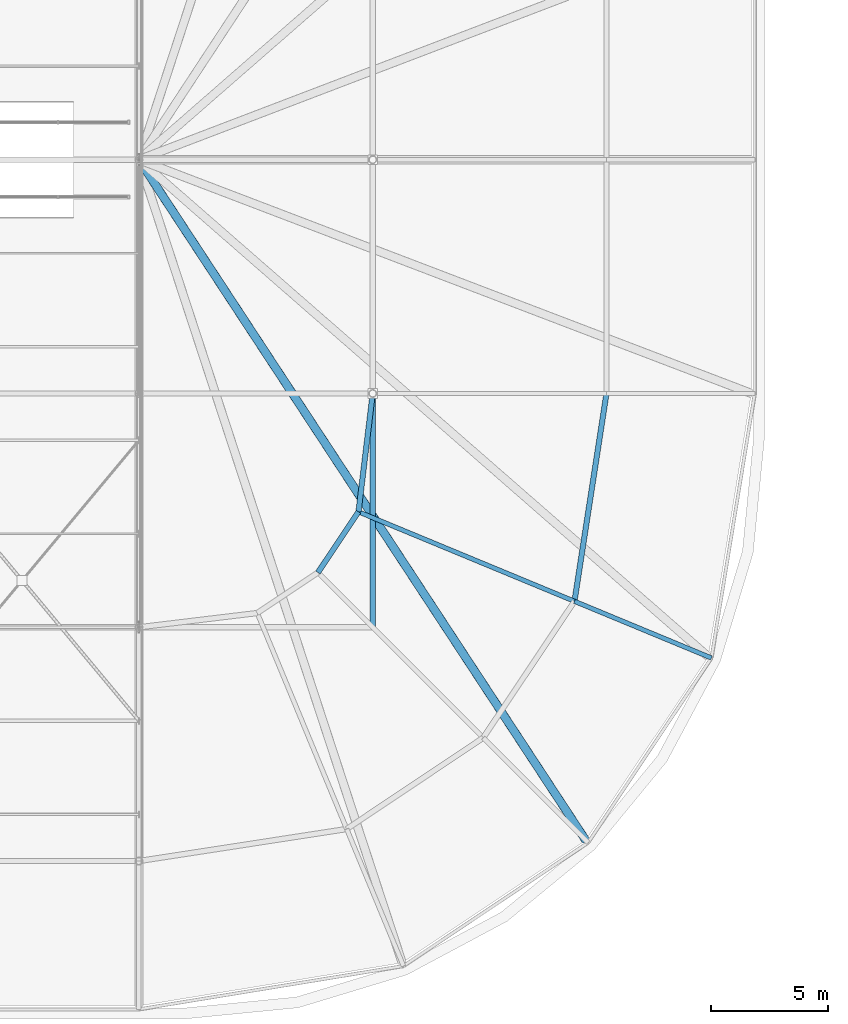
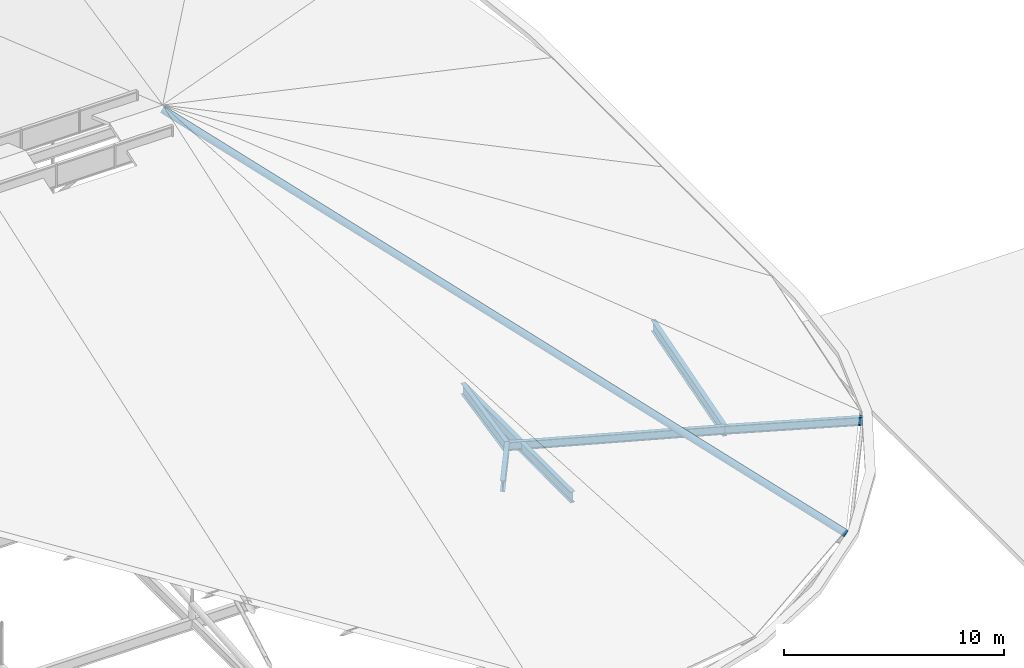
# One storey, part 65 of 93: 6 beams, 1 member.
"""IFC4 building model written with IfcOpenShell, lengths in metres."""

from ifc_helpers import new_model, si_unit, derived_unit, direction, frame, origin, origin_2d_with_axis, place, context, subcontext, project, spatial, hollow_circle, i_section, extrude, material, material_profile, profile_set, type_object, element, save


model = new_model("IFC4")

# Units and contexts
model_context = context("Model", 3, precision=1e-05, world=origin(), true_north=direction((0.0, 1.0)))
body_context = subcontext(model_context, "Body", "Model", "MODEL_VIEW")
ifc_project = project(units=[si_unit("LENGTHUNIT", "METRE"), si_unit("AREAUNIT", "SQUARE_METRE"), si_unit("VOLUMEUNIT", "CUBIC_METRE"), si_unit("PLANEANGLEUNIT", "RADIAN"), si_unit("MASSUNIT", "GRAM", prefix="KILO"), derived_unit("THERMALTRANSMITTANCEUNIT", [(si_unit("POWERUNIT", "WATT"), 1), (si_unit("LENGTHUNIT", "METRE"), -2), (si_unit("THERMODYNAMICTEMPERATUREUNIT", "KELVIN"), -1)])], contexts=[model_context])

# Site, building, storey
site_placement = place(None, origin())
site = spatial("IfcSite", under=ifc_project, at=site_placement, CompositionType="ELEMENT")
building_placement = place(site_placement, origin())
building = spatial("IfcBuilding", under=site, at=building_placement, Name="Cinnabar Yard Market Hall", CompositionType="ELEMENT")
storey_placement = place(building_placement, frame((0.0, 0.0, 23.800048828125)))
storey = spatial("IfcBuildingStorey", under=building, at=storey_placement, Name="ROOF", CompositionType="ELEMENT", Elevation=23.800048828125)

# Beams
ifc_material_1 = material(Name="Steel Grade 350 (350 MPa)", Category="steel")
ifc_material_profile_1 = material_profile(ifc_material_1, i_section(OverallWidth=0.22900390625, OverallDepth=0.611572265625, WebThickness=0.011962890625, FlangeThickness=0.01953125, FilletRadius=0.013916015625, at=origin_2d_with_axis()), Name="610UB125")
ifc_profile_set_1 = profile_set([ifc_material_profile_1], Name="Steel Grade 350 (350 MPa)")
beam_type_1 = type_object("IfcBeamType", Name="BM-B01E", PredefinedType="BEAM", material=ifc_profile_set_1)
beam_1_placement = place(storey_placement, frame((164.6298828125, 25.11181640625, -9.705810546875), z_axis=(0.152350933845, 0.988326460719, 0.0), x_axis=(-0.988326460719, 0.152350933845, 0.0)))
element("IfcBeam", 1, at=beam_1_placement, inside=storey, type_object=beam_type_1, Name="Outer Corner Ring SE 00476", PredefinedType="BEAM", context=body_context, shape_type="SweptSolid", body=[
    extrude(i_section(OverallWidth=0.22900390625, OverallDepth=0.611572265625, WebThickness=0.011962890625, FlangeThickness=0.01953125, FilletRadius=0.013916015625, at=origin_2d_with_axis()), origin(), (0.0, 0.0, 1.0), 8.9931640625),
])
ifc_material_2 = material(Name="Steel Grade 300 (300 MPa)", Category="steel")
ifc_material_profile_2 = material_profile(ifc_material_2, i_section(OverallWidth=0.22802734375, OverallDepth=0.60205078125, WebThickness=0.010498046875, FlangeThickness=0.014892578125, FilletRadius=0.013916015625, at=origin_2d_with_axis()), Name="610UB101")
ifc_profile_set_2 = profile_set([ifc_material_profile_2], Name="Steel Grade 300 (300 MPa)")
beam_type_2 = type_object("IfcBeamType", Name="BM-B02", PredefinedType="BEAM", material=ifc_profile_set_2)
beam_2_placement = place(storey_placement, frame((156.0, 24.0, -9.700927734375), z_axis=(0.0, 1.0, 0.0), x_axis=(-1.0, 0.0, 0.0)))
element("IfcBeam", 2, at=beam_2_placement, inside=storey, type_object=beam_type_2, Name="Hall Transverse Tie Girder 00444", PredefinedType="BEAM", context=body_context, shape_type="SweptSolid", body=[
    extrude(i_section(OverallWidth=0.22802734375, OverallDepth=0.60205078125, WebThickness=0.010498046875, FlangeThickness=0.014892578125, FilletRadius=0.013916015625, at=origin_2d_with_axis()), origin(), (0.0, 0.0, 1.0), 10.0),
])
beam_3_placement = place(storey_placement, frame((153.656982421875, 26.343017578125, -9.700927734375), z_axis=(0.555548220115, 0.831484320434, 0.0), x_axis=(-0.831484320434, 0.555548220115, 0.0)))
element("IfcBeam", 3, at=beam_3_placement, inside=storey, type_object=beam_type_2, Name="Inner Corner Ring SE 00472", PredefinedType="BEAM", context=body_context, shape_type="SweptSolid", body=[
    extrude(i_section(OverallWidth=0.22802734375, OverallDepth=0.60205078125, WebThickness=0.010498046875, FlangeThickness=0.014892578125, FilletRadius=0.013916015625, at=origin_2d_with_axis()), origin(), (0.0, 0.0, 1.0), 3.12158203125),
])
beam_4_placement = place(storey_placement, frame((155.39111328125, 28.9384765625, -9.700927734375), z_axis=(0.119436026198, 0.992841898615, 0.0), x_axis=(-0.992841898615, 0.119436026198, 0.0)))
element("IfcBeam", 4, at=beam_4_placement, inside=storey, type_object=beam_type_2, Name="Inner Corner Ring SE 00475", PredefinedType="BEAM", context=body_context, shape_type="SweptSolid", body=[
    extrude(i_section(OverallWidth=0.22802734375, OverallDepth=0.60205078125, WebThickness=0.010498046875, FlangeThickness=0.014892578125, FilletRadius=0.013916015625, at=origin_2d_with_axis()), origin(), (0.0, 0.0, 1.0), 5.097900390625),
])
ifc_material_profile_3 = material_profile(ifc_material_2, i_section(OverallWidth=0.19091796875, OverallDepth=0.46044921875, WebThickness=0.010009765625, FlangeThickness=0.01611328125, FilletRadius=0.011474609375, at=origin_2d_with_axis()), Name="460UB82.1")
ifc_profile_set_3 = profile_set([ifc_material_profile_3], Name="Steel Grade 300 (300 MPa)")
beam_type_3 = type_object("IfcBeamType", Name="BM-B04", PredefinedType="BEAM", material=ifc_profile_set_3)
beam_5_placement = place(storey_placement, frame((155.39111328125, 28.9384765625, -9.630126953125), z_axis=(0.923885312463, -0.382669478028, 0.0), x_axis=(0.382669478028, 0.923885312463, 0.0)))
element("IfcBeam", 5, at=beam_5_placement, inside=storey, type_object=beam_type_3, Name="Corner Backspan Girder SE-6 00482", PredefinedType="BEAM", context=body_context, shape_type="SweptSolid", body=[
    extrude(i_section(OverallWidth=0.19091796875, OverallDepth=0.46044921875, WebThickness=0.010009765625, FlangeThickness=0.01611328125, FilletRadius=0.011474609375, at=origin_2d_with_axis()), origin(), (0.0, 0.0, 1.0), 10.0),
])
ifc_material_profile_4 = material_profile(ifc_material_2, i_section(OverallWidth=0.19091796875, OverallDepth=0.46044921875, WebThickness=0.010009765625, FlangeThickness=0.01611328125, FilletRadius=0.011474609375, at=origin_2d_with_axis()), Name="460UB82.1")
ifc_profile_set_4 = profile_set([ifc_material_profile_4], Name="Steel Grade 300 (300 MPa)")
beam_type_4 = type_object("IfcBeamType", Name="BM-RF02E", PredefinedType="BEAM", material=ifc_profile_set_4)
beam_6_placement = place(storey_placement, frame((164.6298828125, 25.11181640625, -9.630126953125), z_axis=(0.923803285729, -0.382659096931, -0.012629521412), x_axis=(0.382689618566, 0.923876970079, 0.0)))
element("IfcBeam", 6, at=beam_6_placement, inside=storey, type_object=beam_type_4, Name="Corner Chhajja Cantilever SE-6 00483", PredefinedType="BEAM", context=body_context, shape_type="SweptSolid", body=[
    extrude(i_section(OverallWidth=0.19091796875, OverallDepth=0.46044921875, WebThickness=0.010009765625, FlangeThickness=0.01611328125, FilletRadius=0.011474609375, at=origin_2d_with_axis()), origin(), (0.0, 0.0, 1.0), 6.340576171875),
])

# Member
ifc_material_3 = material(Name="Cold-formed steel C350L0", Category="steel")
ifc_material_profile_5 = material_profile(ifc_material_3, hollow_circle(Radius=0.177734375, WallThickness=0.0126953125, at=origin_2d_with_axis()), Name="355.6x12.7CHS")
ifc_profile_set_5 = profile_set([ifc_material_profile_5], Name="Cold-formed steel C350L0")
member_type = type_object("IfcMemberType", Name="MB-TC01", PredefinedType="CHORD", material=ifc_profile_set_5)
member_placement = place(storey_placement, frame((146.0, 44.0, 3.199951171875), z_axis=(0.516062640809, -0.786082003475, -0.340227033867), x_axis=(0.835952129512, 0.548802366215, 0.0)))
element("IfcMember", 7, at=member_placement, inside=storey, type_object=member_type, Name="East Apsidal Hip Rafter 02", PredefinedType="CHORD", context=body_context, shape_type="SweptSolid", body=[
    extrude(hollow_circle(Radius=0.177734375, WallThickness=0.0126953125, at=origin_2d_with_axis()), origin(), (0.0, 0.0, 1.0), 37.034423828125),
])

save(model, "model.ifc")
